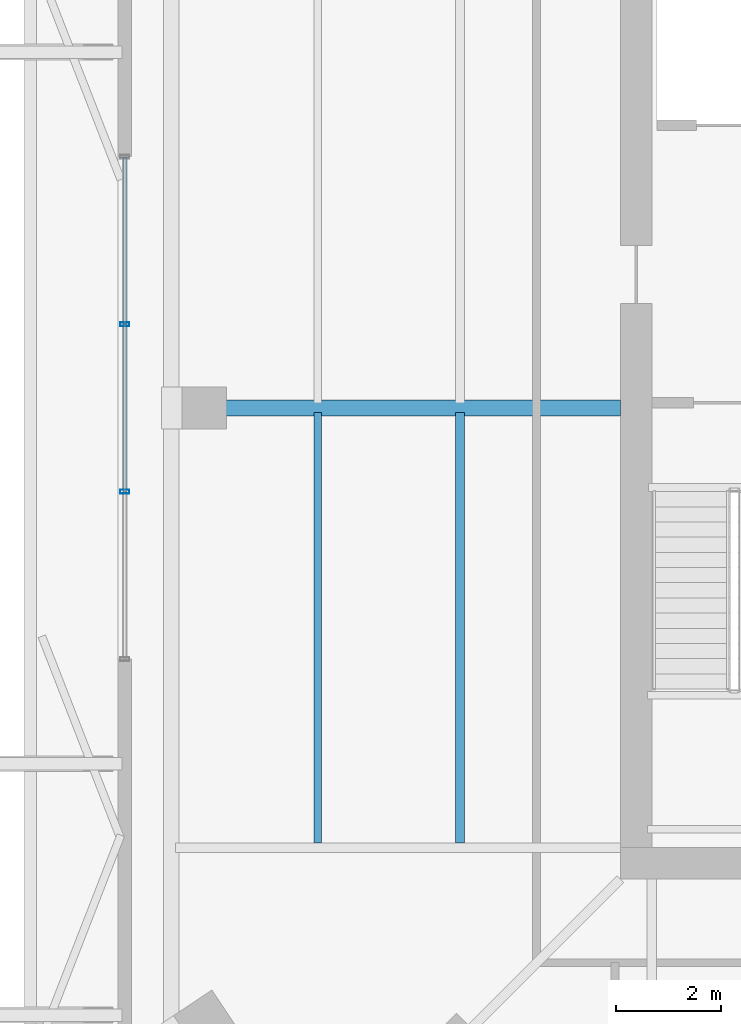
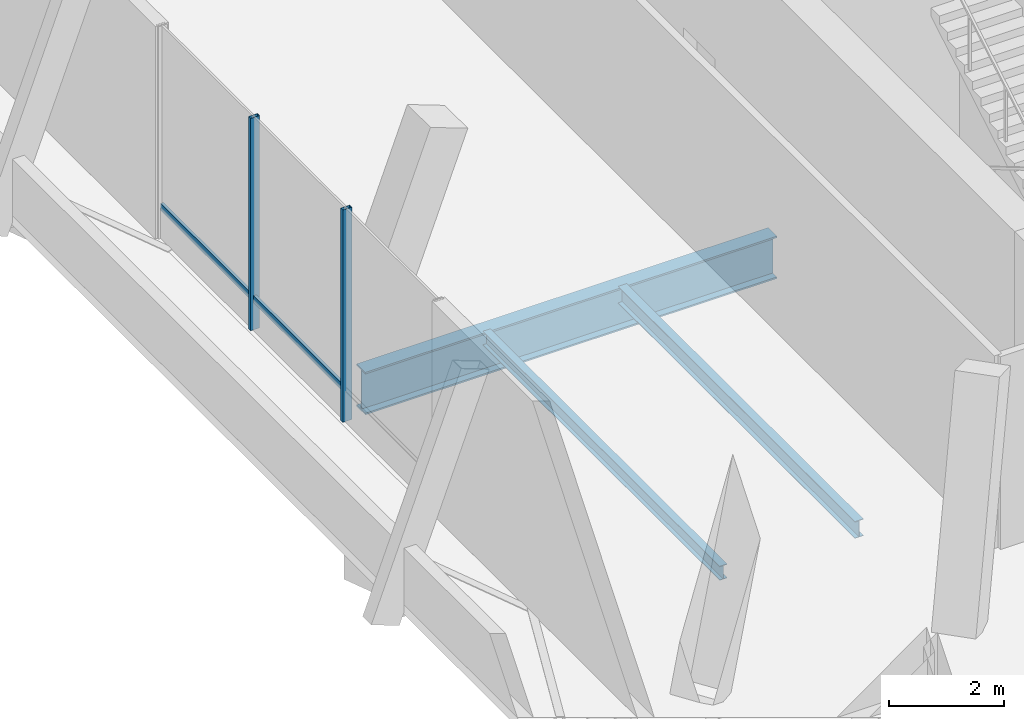
# One storey, part 7 of 18: 4 members, 3 beams, 1 element without a shape of its own.
"""IFC4 building model written with IfcOpenShell, lengths in metres."""

from ifc_helpers import new_model, si_unit, direction, frame, origin, origin_2d, place, context, subcontext, project, spatial, hollow_rectangle, i_section, extrude, material, layer, layer_set, material_profile, profile_set, type_object, element, aggregate, save


model = new_model("IFC4")

# Units and contexts
model_context = context("Model", 3, precision=1e-05, world=origin(), true_north=direction((0.0, 1.0)))
body_context = subcontext(model_context, "Body", "Model", "MODEL_VIEW")
ifc_project = project(units=[si_unit("LENGTHUNIT", "METRE"), si_unit("AREAUNIT", "SQUARE_METRE"), si_unit("VOLUMEUNIT", "CUBIC_METRE"), si_unit("PLANEANGLEUNIT", "RADIAN"), si_unit("MASSUNIT", "GRAM", prefix="KILO")], contexts=[model_context])

# Site, building, storey
site_placement = place(None, origin())
site = spatial("IfcSite", under=ifc_project, at=site_placement, CompositionType="ELEMENT")
building_placement = place(site_placement, origin())
building = spatial("IfcBuilding", under=site, at=building_placement, Name="Belovzor Exchange Tower", CompositionType="ELEMENT")
storey_placement = place(building_placement, frame((0.0, 0.0, 369.0)))
storey = spatial("IfcBuildingStorey", under=building, at=storey_placement, Name="L92", CompositionType="ELEMENT", Elevation=369.0)

# Beams
ifc_material_1 = material(Name="Steel S460", Category="steel")
ifc_material_profile_1 = material_profile(ifc_material_1, i_section(OverallWidth=0.300048828125, OverallDepth=0.89990234375, WebThickness=0.0185546875, FlangeThickness=0.034912109375, at=origin_2d()))
ifc_profile_set_1 = profile_set([ifc_material_profile_1], Name="Steel S460")
beam_type_1 = type_object("IfcBeamType", Name="Podium Radial Clear-Span Girder HEB 900", PredefinedType="BEAM", material=ifc_profile_set_1)
beam_1_placement = place(storey_placement, frame((19.800048828125, 28.800048828125, -0.75), z_axis=(-1.0, 0.0, 0.0), x_axis=(0.0, -1.0, 0.0)))
element("IfcBeam", 1, at=beam_1_placement, inside=storey, type_object=beam_type_1, Name="PG-2 Podium Radial Clear-Span Girder HEB 900", PredefinedType="BEAM", context=body_context, shape_type="SweptSolid", body=[
    extrude(i_section(OverallWidth=0.300048828125, OverallDepth=0.89990234375, WebThickness=0.0185546875, FlangeThickness=0.034912109375, at=origin_2d()), origin(), (0.0, 0.0, 1.0), 8.248046875),
])
ifc_material_2 = material(Name="Steel S355", Category="steel")
ifc_material_profile_2 = material_profile(ifc_material_2, i_section(OverallWidth=0.169921875, OverallDepth=0.360107421875, WebThickness=0.008056640625, FlangeThickness=0.0126953125, at=origin_2d()))
ifc_profile_set_2 = profile_set([ifc_material_profile_2], Name="Steel S355")
beam_type_2 = type_object("IfcBeamType", Name="Secondary Infill Floor Joist IPE 360", PredefinedType="BEAM", material=ifc_profile_set_2)
beam_2_placement = place(storey_placement, frame((16.738037109375, 20.489990234375, -0.47998046875), z_axis=(0.0, 1.0, 0.0), x_axis=(-1.0, 0.0, 0.0)))
element("IfcBeam", 2, at=beam_2_placement, inside=storey, type_object=beam_type_2, Name="FJ-360 Secondary Infill Floor Joist IPE 360", PredefinedType="BEAM", context=body_context, shape_type="SweptSolid", body=[
    extrude(i_section(OverallWidth=0.169921875, OverallDepth=0.360107421875, WebThickness=0.008056640625, FlangeThickness=0.0126953125, at=origin_2d()), origin(), (0.0, 0.0, 1.0), 8.219970703125),
])
ifc_material_3 = material(Name="Steel S355", Category="steel")
ifc_material_profile_3 = material_profile(ifc_material_3, i_section(OverallWidth=0.14990234375, OverallDepth=0.300048828125, WebThickness=0.007080078125, FlangeThickness=0.0107421875, at=origin_2d()))
ifc_profile_set_3 = profile_set([ifc_material_profile_3], Name="Steel S355")
beam_type_3 = type_object("IfcBeamType", Name="Secondary Trim Floor Joist IPE 300", PredefinedType="BEAM", material=ifc_profile_set_3)
beam_3_placement = place(storey_placement, frame((14.01708984375, 20.489990234375, -0.449951171875), z_axis=(0.0, 1.0, 0.0), x_axis=(-1.0, 0.0, 0.0)))
element("IfcBeam", 3, at=beam_3_placement, inside=storey, type_object=beam_type_3, Name="FJ-300 Secondary Trim Floor Joist IPE 300", PredefinedType="BEAM", context=body_context, shape_type="SweptSolid", body=[
    extrude(i_section(OverallWidth=0.14990234375, OverallDepth=0.300048828125, WebThickness=0.007080078125, FlangeThickness=0.0107421875, at=origin_2d()), origin(), (0.0, 0.0, 1.0), 8.219970703125),
])

# Curtain wall, members
ifc_material_4 = material(Name="Anodised Aluminium Framing", Category="aluminium")
ifc_layer = layer(ifc_material_4, 0.169921875)
ifc_layer_set = layer_set([ifc_layer], Name="Anodised Aluminium Framing")
curtain_wall_type = type_object("IfcCurtainWallType", Name="Stepped Crown Faceted Lantern Curtain Wall", PredefinedType="NOTDEFINED", material=ifc_layer_set)
curtain_wall_placement = place(storey_placement, origin())
curtain_wall = element("IfcCurtainWall", 4, at=curtain_wall_placement, inside=storey, type_object=curtain_wall_type, Name="CW6 Stepped Crown Faceted Lantern Curtain Wall L92", PredefinedType="NOTDEFINED")
ifc_material_5 = material(Name="Steel S355", Category="steel")
ifc_material_profile_4 = material_profile(ifc_material_5, hollow_rectangle(XDim=0.074951171875, YDim=0.179931640625, WallThickness=0.0048828125, at=origin_2d()))
ifc_profile_set_4 = profile_set([ifc_material_profile_4], Name="Steel S355")
member_type_1 = type_object("IfcMemberType", Name="Thermally Broken Curtain Wall Mullion 180x75", PredefinedType="MULLION", material=ifc_profile_set_4)
member_1_placement = place(storey_placement, frame((10.330078125, 27.199951171875, 0.0), z_axis=(0.0, 0.0, 1.0), x_axis=(0.0, 1.0, 0.0)))
member_1 = element("IfcMember", 5, at=member_1_placement, type_object=member_type_1, Name="CW-M180 Curtain Wall Mullion 2", PredefinedType="MULLION", context=body_context, shape_type="SweptSolid", body=[
    extrude(hollow_rectangle(XDim=0.074951171875, YDim=0.179931640625, WallThickness=0.0048828125, at=origin_2d()), origin(), (0.0, 0.0, 1.0), 4.5),
])
member_2_placement = place(storey_placement, frame((10.330078125, 30.39990234375, 0.0), z_axis=(0.0, 0.0, 1.0), x_axis=(0.0, 1.0, 0.0)))
member_2 = element("IfcMember", 6, at=member_2_placement, type_object=member_type_1, Name="CW-M180 Curtain Wall Mullion 3", PredefinedType="MULLION", context=body_context, shape_type="SweptSolid", body=[
    extrude(hollow_rectangle(XDim=0.074951171875, YDim=0.179931640625, WallThickness=0.0048828125, at=origin_2d()), origin(), (0.0, 0.0, 1.0), 4.5),
])
ifc_material_6 = material(Name="Steel S355", Category="steel")
ifc_material_profile_5 = material_profile(ifc_material_6, hollow_rectangle(XDim=0.06005859375, YDim=0.14990234375, WallThickness=0.00390625, at=origin_2d()))
ifc_profile_set_5 = profile_set([ifc_material_profile_5], Name="Steel S355")
member_type_2 = type_object("IfcMemberType", Name="Thermally Broken Curtain Wall Transom 150x60", PredefinedType="USERDEFINED", material=ifc_profile_set_5)
member_3_placement = place(storey_placement, frame((10.330078125, 27.2080078125, 0.64990234375), z_axis=(0.0, 1.0, 0.0), x_axis=(-1.0, 0.0, 0.0)))
member_3 = element("IfcMember", 7, at=member_3_placement, type_object=member_type_2, Name="CW-T150 Curtain Wall Transom 2", ObjectType="TRANSOM", PredefinedType="USERDEFINED", context=body_context, shape_type="SweptSolid", body=[
    extrude(hollow_rectangle(XDim=0.06005859375, YDim=0.14990234375, WallThickness=0.00390625, at=origin_2d()), origin(), (0.0, 0.0, 1.0), 3.18408203125),
])
member_4_placement = place(storey_placement, frame((10.330078125, 30.407958984375, 0.64990234375), z_axis=(0.0, 1.0, 0.0), x_axis=(-1.0, 0.0, 0.0)))
member_4 = element("IfcMember", 8, at=member_4_placement, type_object=member_type_2, Name="CW-T150 Curtain Wall Transom 3", ObjectType="TRANSOM", PredefinedType="USERDEFINED", context=body_context, shape_type="SweptSolid", body=[
    extrude(hollow_rectangle(XDim=0.06005859375, YDim=0.14990234375, WallThickness=0.00390625, at=origin_2d()), origin(), (0.0, 0.0, 1.0), 3.18408203125),
])
aggregate(curtain_wall, [member_1, member_2, member_3, member_4])

save(model, "model.ifc")
